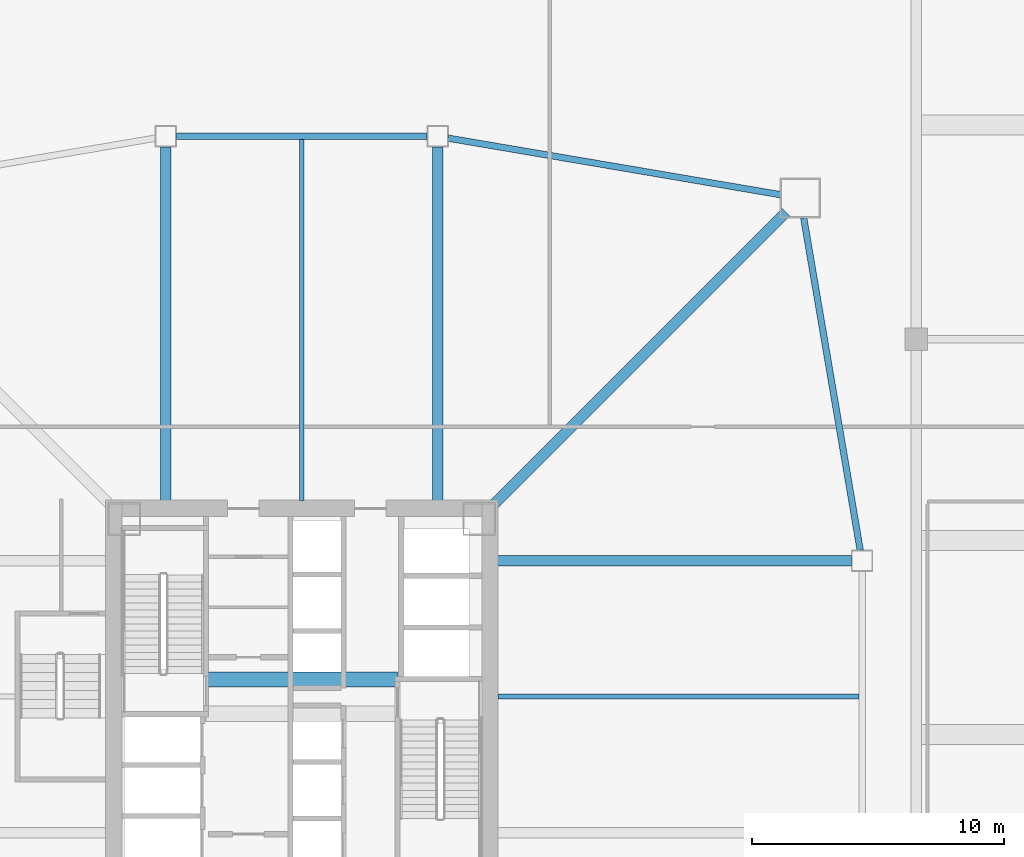
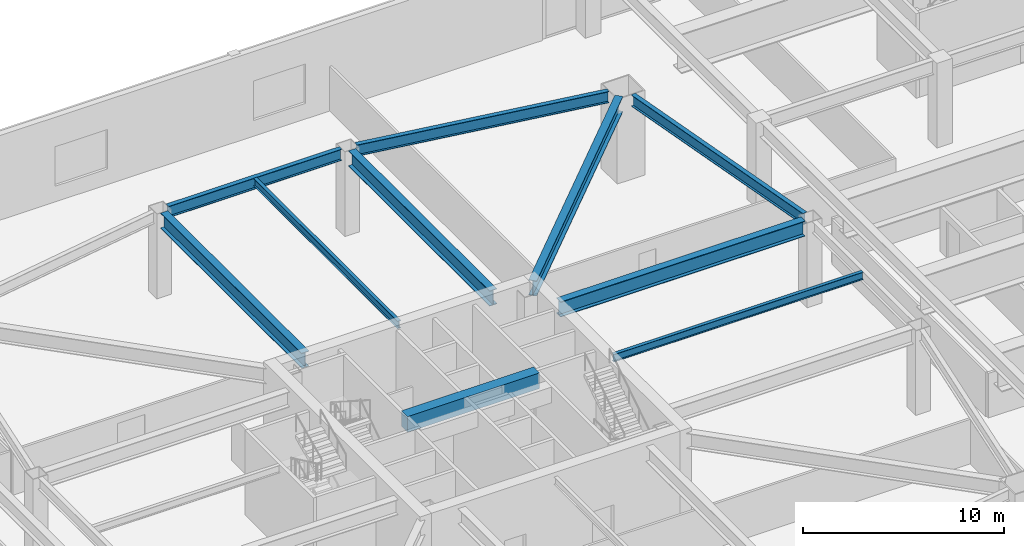
# One storey, part 13 of 48: 10 beams.
"""IFC4 building model written with IfcOpenShell, lengths in metres."""

from ifc_helpers import new_model, si_unit, direction, frame, origin, origin_2d, place, context, subcontext, project, spatial, rectangle, i_section, extrude, material, material_profile, profile_set, type_object, element, save


model = new_model("IFC4")

# Units and contexts
model_context = context("Model", 3, precision=1e-05, world=origin(), true_north=direction((0.0, 1.0)))
body_context = subcontext(model_context, "Body", "Model", "MODEL_VIEW")
ifc_project = project(units=[si_unit("LENGTHUNIT", "METRE"), si_unit("AREAUNIT", "SQUARE_METRE"), si_unit("VOLUMEUNIT", "CUBIC_METRE"), si_unit("PLANEANGLEUNIT", "RADIAN"), si_unit("MASSUNIT", "GRAM", prefix="KILO")], contexts=[model_context])

# Site, building, storey
site_placement = place(None, origin())
site = spatial("IfcSite", under=ifc_project, at=site_placement, CompositionType="ELEMENT")
building_placement = place(site_placement, origin())
building = spatial("IfcBuilding", under=site, at=building_placement, Name="Tashvorn Skyway Center", CompositionType="ELEMENT")
storey_placement = place(building_placement, frame((0.0, 0.0, 10.199951171875)))
storey = spatial("IfcBuildingStorey", under=building, at=storey_placement, Name="L02", CompositionType="ELEMENT", Elevation=10.199951171875)

# Beams
ifc_material_1 = material(Name="Steel ASTM A913 Grade 65", Category="steel")
ifc_material_profile_1 = material_profile(ifc_material_1, i_section(OverallWidth=0.4189453125, OverallDepth=0.927001953125, WebThickness=0.019287109375, FlangeThickness=0.031982421875, at=origin_2d()), Name="W36X231")
ifc_profile_set_1 = profile_set([ifc_material_profile_1], Name="Steel ASTM A913 Grade 65")
beam_type_1 = type_object("IfcBeamType", Name="BM-BEAM-W36X231", PredefinedType="BEAM", material=ifc_profile_set_1)
beam_1_placement = place(storey_placement, frame((61.23779296875, 51.23779296875, 4.676513671875), z_axis=(-0.707106781187, -0.707106781187, 0.0), x_axis=(0.707106781187, -0.707106781187, 0.0)))
element("IfcBeam", 1, at=beam_1_placement, inside=storey, type_object=beam_type_1, Name="Tower 1 L02 Primary Floor Girder MC-NE", PredefinedType="BEAM", context=body_context, shape_type="SweptSolid", body=[
    extrude(i_section(OverallWidth=0.4189453125, OverallDepth=0.927001953125, WebThickness=0.019287109375, FlangeThickness=0.031982421875, at=origin_2d()), origin(), (0.0, 0.0, 1.0), 16.591064453125),
])
for number, where, z_axis, x_axis, name in (
    (2, (63.830078125, 37.39990234375, 4.676513671875), (-1.0, 0.0, 0.0), (0.0, -1.0, 0.0), "Tower 1 L02 Primary Floor Girder FC-E2"),
    (3, (47.39990234375, 53.830078125, 4.676513671875), (0.0, -1.0, 0.0), (1.0, 0.0, 0.0), "Tower 1 L02 Primary Floor Girder FC-N1"),
    (4, (36.60009765625, 53.830078125, 4.676513671875), (0.0, -1.0, 0.0), (1.0, 0.0, 0.0), "Tower 1 L02 Primary Floor Girder FC-N2"),
):
    element("IfcBeam", number, at=place(storey_placement, frame(where, z_axis=z_axis, x_axis=x_axis)), inside=storey, type_object=beam_type_1, Name=name, PredefinedType="BEAM", context=body_context, shape_type="SweptSolid", body=[
        extrude(i_section(OverallWidth=0.4189453125, OverallDepth=0.927001953125, WebThickness=0.019287109375, FlangeThickness=0.031982421875, at=origin_2d()), origin(), (0.0, 0.0, 1.0), 14.050048828125),
    ])
ifc_material_2 = material(Name="Steel ASTM A992 Grade 50", Category="steel")
ifc_material_profile_2 = material_profile(ifc_material_2, i_section(OverallWidth=0.19091796875, OverallDepth=0.4599609375, WebThickness=0.010009765625, FlangeThickness=0.01611328125, at=origin_2d()), Name="W18X55")
ifc_profile_set_2 = profile_set([ifc_material_profile_2], Name="Steel ASTM A992 Grade 50")
beam_type_2 = type_object("IfcBeamType", Name="BM-JOIST-W18X55", PredefinedType="JOIST", material=ifc_profile_set_2)
for number, where, z_axis, x_axis, name in (
    (5, (42.0, 39.7900390625, 4.91015625), (0.0, 1.0, 0.0), (-1.0, 0.0, 0.0), "Tower 1 L02 Secondary Composite Joist JN"),
    (6, (49.7900390625, 32.0, 4.91015625), (1.0, 0.0, 0.0), (0.0, 1.0, 0.0), "Tower 1 L02 Secondary Composite Joist JE"),
):
    element("IfcBeam", number, at=place(storey_placement, frame(where, z_axis=z_axis, x_axis=x_axis)), inside=storey, type_object=beam_type_2, Name=name, PredefinedType="JOIST", context=body_context, shape_type="SweptSolid", body=[
        extrude(i_section(OverallWidth=0.19091796875, OverallDepth=0.4599609375, WebThickness=0.010009765625, FlangeThickness=0.01611328125, at=origin_2d()), origin(), (0.0, 0.0, 1.0), 14.33984375),
    ])
ifc_material_3 = material(Name="Concrete C60/75", Category="concrete")
ifc_material_profile_3 = material_profile(ifc_material_3, rectangle(XDim=0.60009765625, YDim=0.949951171875, at=origin_2d()), Name="RCB600x950")
ifc_profile_set_3 = profile_set([ifc_material_profile_3], Name="Concrete C60/75")
beam_type_3 = type_object("IfcBeamType", Name="BM-LINTEL-RCB600x950", PredefinedType="LINTEL", material=ifc_profile_set_3)
beam_2_placement = place(storey_placement, frame((38.199951171875, 32.679931640625, 4.6650390625), z_axis=(1.0, 0.0, 0.0), x_axis=(0.0, 1.0, 0.0)))
element("IfcBeam", 7, at=beam_2_placement, inside=storey, type_object=beam_type_3, Name="Tower 1 L02 Core Coupling Beam CN", PredefinedType="LINTEL", context=body_context, shape_type="SweptSolid", body=[
    extrude(rectangle(XDim=0.60009765625, YDim=0.949951171875, at=origin_2d()), origin(), (0.0, 0.0, 1.0), 7.60009765625),
])
ifc_material_profile_4 = material_profile(ifc_material_2, i_section(OverallWidth=0.256103515625, OverallDepth=0.693115234375, WebThickness=0.014404296875, FlangeThickness=0.023681640625, at=origin_2d()), Name="W27X114")
ifc_profile_set_4 = profile_set([ifc_material_profile_4], Name="Steel ASTM A992 Grade 50")
beam_type_4 = type_object("IfcBeamType", Name="BM-SPANDREL-W27X114", PredefinedType="SPANDREL", material=ifc_profile_set_4)
for number, where, z_axis, x_axis, name in (
    (8, (64.179443359375, 37.81396484375, 4.79345703125), (-0.16771792509, 0.985835025551, 0.0), (-0.985835025551, -0.16771792509, 0.0), "Tower 1 L02 Spandrel Beam 06"),
    (9, (61.016357421875, 51.933349609375, 4.79345703125), (-0.985835025551, 0.16771792509, 0.0), (-0.16771792509, -0.985835025551, 0.0), "Tower 1 L02 Spandrel Beam 07"),
):
    element("IfcBeam", number, at=place(storey_placement, frame(where, z_axis=z_axis, x_axis=x_axis)), inside=storey, type_object=beam_type_4, Name=name, PredefinedType="SPANDREL", context=body_context, shape_type="SweptSolid", body=[
        extrude(i_section(OverallWidth=0.256103515625, OverallDepth=0.693115234375, WebThickness=0.014404296875, FlangeThickness=0.023681640625, at=origin_2d()), origin(), (0.0, 0.0, 1.0), 13.39208984375),
    ])
beam_3_placement = place(storey_placement, frame((46.97998046875, 54.25, 4.79345703125), z_axis=(-1.0, 0.0, 0.0), x_axis=(0.0, -1.0, 0.0)))
element("IfcBeam", 10, at=beam_3_placement, inside=storey, type_object=beam_type_4, Name="Tower 1 L02 Spandrel Beam 08", PredefinedType="SPANDREL", context=body_context, shape_type="SweptSolid", body=[
    extrude(i_section(OverallWidth=0.256103515625, OverallDepth=0.693115234375, WebThickness=0.014404296875, FlangeThickness=0.023681640625, at=origin_2d()), origin(), (0.0, 0.0, 1.0), 9.9599609375),
])

save(model, "model.ifc")
